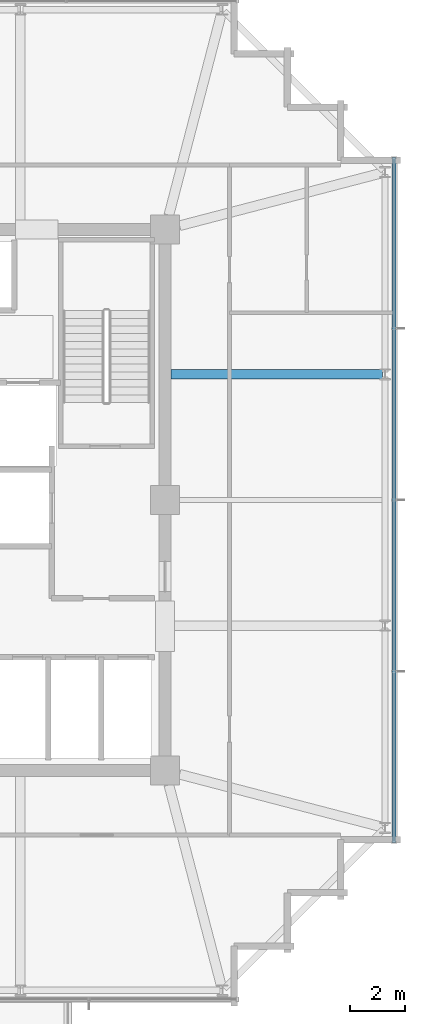
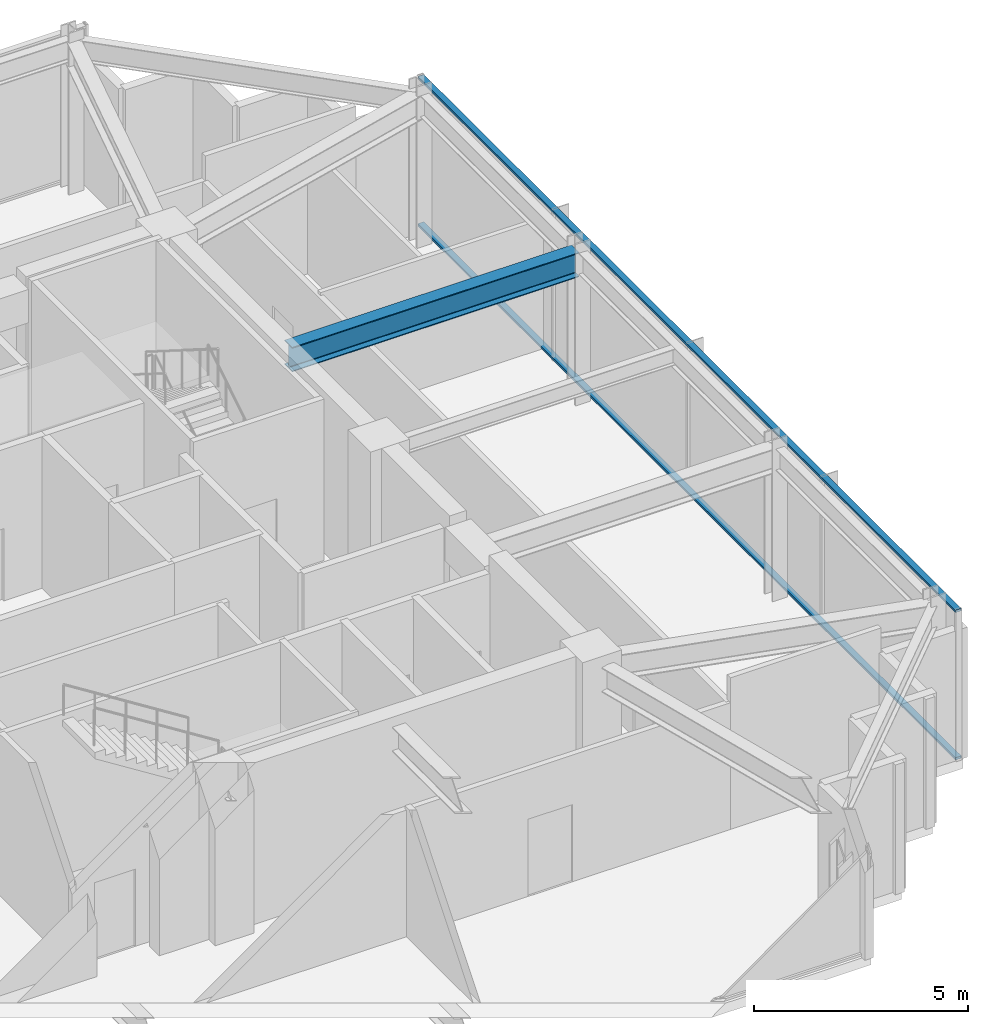
# One storey, part 13 of 30: 2 members, 1 beam, 1 element without a shape of its own.
"""IFC4 building model written with IfcOpenShell, lengths in metres."""

from ifc_helpers import new_model, si_unit, direction, frame, origin, origin_2d, place, context, subcontext, project, spatial, hollow_rectangle, i_section, extrude, material, material_profile, profile_set, type_object, element, aggregate, save


model = new_model("IFC4")

# Units and contexts
model_context = context("Model", 3, precision=1e-05, world=origin(), true_north=direction((0.0, 1.0)))
body_context = subcontext(model_context, "Body", "Model", "MODEL_VIEW")
ifc_project = project(units=[si_unit("LENGTHUNIT", "METRE"), si_unit("AREAUNIT", "SQUARE_METRE"), si_unit("VOLUMEUNIT", "CUBIC_METRE"), si_unit("PLANEANGLEUNIT", "RADIAN"), si_unit("MASSUNIT", "GRAM", prefix="KILO")], contexts=[model_context])

# Site, building, storey
site_placement = place(None, origin())
site = spatial("IfcSite", under=ifc_project, at=site_placement, CompositionType="ELEMENT")
building_placement = place(site_placement, origin())
building = spatial("IfcBuilding", under=site, at=building_placement, Name="Kolvaren Belvedere", CompositionType="ELEMENT")
storey_placement = place(building_placement, frame((0.0, 0.0, 262.800048828125)))
storey = spatial("IfcBuildingStorey", under=building, at=storey_placement, Name="L76", CompositionType="ELEMENT", Elevation=262.800048828125)

# Beam
ifc_material_1 = material(Name="Structural steel ASTM A992 Grade 50", Category="steel")
ifc_material_profile_1 = material_profile(ifc_material_1, i_section(OverallWidth=0.35498046875, OverallDepth=0.696044921875, WebThickness=0.015380859375, FlangeThickness=0.02490234375, FilletRadius=0.02197265625, at=origin_2d()), Name="W27X146")
ifc_profile_set_1 = profile_set([ifc_material_profile_1], Name="Structural steel ASTM A992 Grade 50")
beam_type = type_object("IfcBeamType", Name="BM-GIRD-W27X146", PredefinedType="BEAM", material=ifc_profile_set_1)
beam_placement = place(storey_placement, frame((10.125, 4.60009765625, 3.971923828125), z_axis=(1.0, 0.0, 0.0), x_axis=(0.0, 1.0, 0.0)))
element("IfcBeam", 1, at=beam_placement, inside=storey, type_object=beam_type, Name="L76 East Radial Girder P", PredefinedType="BEAM", context=body_context, shape_type="SweptSolid", body=[
    extrude(i_section(OverallWidth=0.35498046875, OverallDepth=0.696044921875, WebThickness=0.015380859375, FlangeThickness=0.02490234375, FilletRadius=0.02197265625, at=origin_2d()), origin(), (0.0, 0.0, 1.0), 7.7333984375),
])

# Curtain wall, members
ifc_material_2 = material(Name="Anodised pale-metal aluminium AA 6063-T6", Category="aluminium")
curtain_wall_type = type_object("IfcCurtainWallType", Name="CW-CRN-OBS", PredefinedType="NOTDEFINED", material=ifc_material_2)
curtain_wall_placement = place(storey_placement, origin())
curtain_wall = element("IfcCurtainWall", 2, at=curtain_wall_placement, inside=storey, type_object=curtain_wall_type, Name="L76 Unitised Curtain Wall FCW-L76-E", PredefinedType="NOTDEFINED")
ifc_material_3 = material(Name="Anodised pale-metal aluminium AA 6063-T6", Category="aluminium")
ifc_material_profile_2 = material_profile(ifc_material_3, hollow_rectangle(XDim=0.06494140625, YDim=0.159912109375, WallThickness=0.00390625, at=origin_2d()), Name="ALU-TRN-160X65")
ifc_profile_set_2 = profile_set([ifc_material_profile_2], Name="Anodised pale-metal aluminium AA 6063-T6")
member_type = type_object("IfcMemberType", Name="CW-TRN-160", PredefinedType="USERDEFINED", material=ifc_profile_set_2)
member_1_placement = place(storey_placement, frame((18.280029296875, 12.550048828125, 0.06005859375), z_axis=(0.0, -1.0, 0.0), x_axis=(0.0, 0.0, 1.0)))
member_1 = element("IfcMember", 3, at=member_1_placement, type_object=member_type, Name="FCW-L76-E Sill Transom", ObjectType="TRANSOM", PredefinedType="USERDEFINED", context=body_context, shape_type="SweptSolid", body=[
    extrude(hollow_rectangle(XDim=0.06494140625, YDim=0.159912109375, WallThickness=0.00390625, at=origin_2d()), origin(), (0.0, 0.0, 1.0), 25.10009765625),
])
member_2_placement = place(storey_placement, frame((18.280029296875, 12.550048828125, 4.260009765625), z_axis=(0.0, -1.0, 0.0), x_axis=(0.0, 0.0, 1.0)))
member_2 = element("IfcMember", 4, at=member_2_placement, type_object=member_type, Name="FCW-L76-E Head Transom", ObjectType="TRANSOM", PredefinedType="USERDEFINED", context=body_context, shape_type="SweptSolid", body=[
    extrude(hollow_rectangle(XDim=0.06494140625, YDim=0.159912109375, WallThickness=0.00390625, at=origin_2d()), origin(), (0.0, 0.0, 1.0), 25.10009765625),
])
aggregate(curtain_wall, [member_1, member_2])

save(model, "model.ifc")
